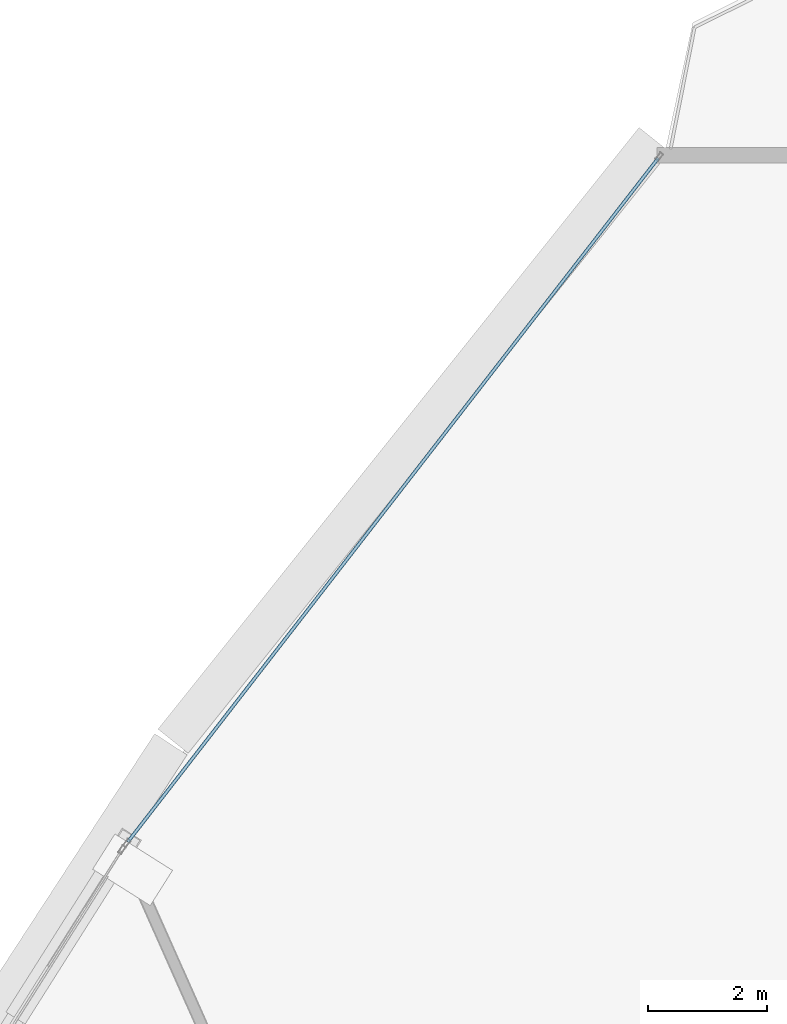
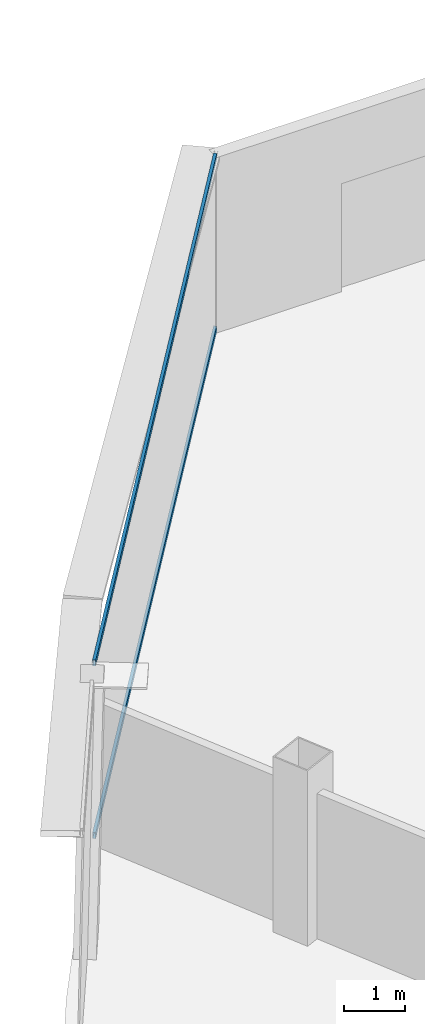
# One storey, part 22 of 34: 2 members, 1 element without a shape of its own.
"""IFC4 building model written with IfcOpenShell, lengths in metres."""

import ifcopenshell
import ifcopenshell.guid

model = None  # the IFC model being written
_history = None  # IfcOwnerHistory: only IFC2X3 demands one
_inside = {}  # id of a spatial element -> (the spatial element, [elements in it])
_under = {}  # id of a project, library or spatial element -> (it, [spatial elements below it])
_declared = {}  # id of a project -> (the project, [libraries it declares])
_typed = {}  # id of a type object -> (the type object, [elements of that type])
_made_of = {}  # id of a material, layer set ... -> (it, [elements and type objects made of it])


def new_model(schema):
    """Start an empty IFC model of exactly this schema.

    Asked for "IFC4X3", IfcOpenShell would pick the latest addendum, in which some entities
    have other attributes; the version numbers below select the first issue.
    IFC2X3 requires an IfcOwnerHistory on every rooted entity: one is made here for all.
    """
    global model, _history
    if schema == "IFC4X3":
        model = ifcopenshell.file(schema_version=(4, 3, 0, 0))
    else:
        model = ifcopenshell.file(schema=schema)
    _inside.clear()
    _under.clear()
    _declared.clear()
    _typed.clear()
    _made_of.clear()
    _history = None
    if model.schema == "IFC2X3":
        org = make("IfcOrganization", Name="unknown")
        user = make(
            "IfcPersonAndOrganization",
            ThePerson=make("IfcPerson", FamilyName="unknown"),
            TheOrganization=org,
        )
        app = make(
            "IfcApplication",
            ApplicationDeveloper=org,
            Version="unknown",
            ApplicationFullName="unknown",
            ApplicationIdentifier="unknown",
        )
        _history = make(
            "IfcOwnerHistory",
            OwningUser=user,
            OwningApplication=app,
            ChangeAction="ADDED",
            CreationDate=0,
        )
    return model


def make(cls, **values):
    """One entity of the class cls with the attributes given. An attribute that is None is left unset."""
    return model.create_entity(
        cls, **{name: value for name, value in values.items() if value is not None}
    )


def rooted(cls, **values):
    """An entity with a GlobalId (a new one), such as an element, a storey or a relation."""
    return make(cls, GlobalId=ifcopenshell.guid.new(), OwnerHistory=_history, **values)


def si_unit(unit_type, name, prefix=None):
    """IfcSIUnit, for example si_unit("LENGTHUNIT", "METRE", prefix="MILLI")."""
    return make("IfcSIUnit", UnitType=unit_type, Prefix=prefix, Name=name)


def assignment(units):
    """IfcUnitAssignment: the units of a project."""
    return None if units is None else make("IfcUnitAssignment", Units=units)


def point(xyz):
    """IfcCartesianPoint."""
    return None if xyz is None else make("IfcCartesianPoint", Coordinates=xyz)


def direction(xyz):
    """IfcDirection."""
    return None if xyz is None else make("IfcDirection", DirectionRatios=xyz)


def frame(location, z_axis=None, x_axis=None):
    """IfcAxis2Placement3D, a coordinate frame: its origin and axes. An axis left out is left unset."""
    return make(
        "IfcAxis2Placement3D",
        Location=point(location),
        Axis=direction(z_axis),
        RefDirection=direction(x_axis),
    )


def frame_2d(location, x_axis=None):
    """IfcAxis2Placement2D, a coordinate frame in the plane: its origin and x axis."""
    return make(
        "IfcAxis2Placement2D", Location=point(location), RefDirection=direction(x_axis)
    )


def origin():
    """The frame at (0, 0, 0) with its axes left unset."""
    return frame((0.0, 0.0, 0.0))


def origin_2d():
    """The frame at (0, 0) in the plane with its x axis left unset."""
    return frame_2d((0.0, 0.0))


def place(relative_to, where):
    """IfcLocalPlacement: puts the frame where relative to a parent placement (None: the world)."""
    return make(
        "IfcLocalPlacement", PlacementRelTo=relative_to, RelativePlacement=where
    )


def context(
    kind, dimensions, precision=None, world=None, true_north=None, identifier=None
):
    """IfcGeometricRepresentationContext, for example the 3D "Model" context."""
    return make(
        "IfcGeometricRepresentationContext",
        ContextIdentifier=identifier,
        ContextType=kind,
        CoordinateSpaceDimension=dimensions,
        Precision=precision,
        WorldCoordinateSystem=world,
        TrueNorth=true_north,
    )


def subcontext(parent, identifier, kind, view, scale=None):
    """IfcGeometricRepresentationSubContext, for example "Body" below "Model"."""
    return make(
        "IfcGeometricRepresentationSubContext",
        ContextIdentifier=identifier,
        ContextType=kind,
        ParentContext=parent,
        TargetScale=scale,
        TargetView=view,
    )


def project(units=None, contexts=None):
    """IfcProject with its units and contexts."""
    return rooted(
        "IfcProject",
        Name="project",
        RepresentationContexts=contexts,
        UnitsInContext=assignment(units),
    )


def spatial(cls, under=None, at=None, **own):
    """A site, building, storey or space (cls), placed at a placement, below another one or the project."""
    s = rooted(cls, ObjectPlacement=at, **own)
    if under is not None:
        _under.setdefault(under.id(), (under, []))[1].append(s)
    return s


def profile(cls, at=None, kind="AREA", **sizes):
    """A parametric profile (cls). Its sizes go by their IFC names, for example OverallWidth=200.0."""
    return make(cls, ProfileType=kind, Position=at, **sizes)


def hollow_rectangle(**sizes):
    """IfcRectangleHollowProfileDef."""
    return profile("IfcRectangleHollowProfileDef", **sizes)


def extrude(swept, where, along, depth):
    """IfcExtrudedAreaSolid: the profile swept, set in the frame where, extruded along a direction by depth."""
    return make(
        "IfcExtrudedAreaSolid",
        SweptArea=swept,
        Position=where,
        ExtrudedDirection=direction(along),
        Depth=depth,
    )


def shape(context_of_items, identifier, shape_type, items):
    """IfcShapeRepresentation: the items that make up one representation, for example the "Body"."""
    return make(
        "IfcShapeRepresentation",
        ContextOfItems=context_of_items,
        RepresentationIdentifier=identifier,
        RepresentationType=shape_type,
        Items=items,
    )


def source(mapping_origin, context_of_items, identifier, shape_type, items):
    """IfcRepresentationMap: a shape defined once, which mapped items show again and again."""
    return make(
        "IfcRepresentationMap",
        MappingOrigin=mapping_origin,
        MappedRepresentation=shape(context_of_items, identifier, shape_type, items),
    )


def transform(
    local_origin,
    x_axis=None,
    y_axis=None,
    z_axis=None,
    scale=None,
    scale2=None,
    scale3=None,
    uniform=True,
):
    """IfcCartesianTransformationOperator3D, or its non-uniform kind. x_axis, y_axis, z_axis: its Axis1, 2, 3."""
    if uniform:
        return make(
            "IfcCartesianTransformationOperator3D",
            Axis1=direction(x_axis),
            Axis2=direction(y_axis),
            LocalOrigin=point(local_origin),
            Scale=scale,
            Axis3=direction(z_axis),
        )
    return make(
        "IfcCartesianTransformationOperator3DnonUniform",
        Axis1=direction(x_axis),
        Axis2=direction(y_axis),
        LocalOrigin=point(local_origin),
        Scale=scale,
        Axis3=direction(z_axis),
        Scale2=scale2,
        Scale3=scale3,
    )


def mapped(mapping_source, mapping_target):
    """IfcMappedItem: shows the shape of a source again, moved by a transform."""
    return make(
        "IfcMappedItem", MappingSource=mapping_source, MappingTarget=mapping_target
    )


def material(Name=None, Category=None):
    """IfcMaterial."""
    return make("IfcMaterial", Name=Name, Category=Category)


def layer(
    of_material, thickness, ventilated=None, Name=None, Category=None, Priority=None
):
    """IfcMaterialLayer: one layer of a wall or slab, of a material (None: an air gap)."""
    return make(
        "IfcMaterialLayer",
        Material=of_material,
        LayerThickness=thickness,
        IsVentilated=ventilated,
        Name=Name,
        Category=Category,
        Priority=Priority,
    )


def layer_set(layers, Name=None):
    """IfcMaterialLayerSet."""
    return make("IfcMaterialLayerSet", MaterialLayers=layers, LayerSetName=Name)


def material_profile(
    of_material, cross_section, Name=None, Category=None, Priority=None
):
    """IfcMaterialProfile: a cross section and its material."""
    return make(
        "IfcMaterialProfile",
        Name=Name,
        Material=of_material,
        Profile=cross_section,
        Priority=Priority,
        Category=Category,
    )


def profile_set(profiles, Name=None, composite=None):
    """IfcMaterialProfileSet."""
    return make(
        "IfcMaterialProfileSet",
        Name=Name,
        MaterialProfiles=profiles,
        CompositeProfile=composite,
    )


def made_of(thing, what):
    """Note that an element or type object is made of a material, layer set ...; save() writes the relation."""
    if what is not None:
        _made_of.setdefault(what.id(), (what, []))[1].append(thing)
    return thing


def type_object(cls, material=None, **own):
    """A type object (cls), such as IfcWallType, which elements share."""
    return made_of(rooted(cls, **own), material)


def element(
    cls,
    number,
    at=None,
    inside=None,
    cuts=None,
    type_object=None,
    material=None,
    context=None,
    identifier="Body",
    shape_type=None,
    held_by="IfcProductDefinitionShape",
    body=None,
    shapes=None,
    **own,
):
    """One element of the class cls, such as IfcWall. Its Tag is "e" and its number.

    at: its placement. inside: the storey or other place that contains it. cuts: it is an
    opening in that element (IfcRelVoidsElement). A single representation is given by context,
    identifier, shape_type and body (its items); several are given by shapes. held_by: the class
    of the entity that holds the representations. save() writes the other relations.
    """
    e = rooted(cls, Tag="e%d" % number, ObjectPlacement=at, **own)
    if body is not None:
        shapes = [shape(context, identifier, shape_type, body)]
    if shapes is not None:
        e.Representation = make(held_by, Representations=shapes)
    if inside is not None:
        _inside.setdefault(inside.id(), (inside, []))[1].append(e)
    if cuts is not None:
        rooted(
            "IfcRelVoidsElement", RelatingBuildingElement=cuts, RelatedOpeningElement=e
        )
    if type_object is not None:
        _typed.setdefault(type_object.id(), (type_object, []))[1].append(e)
    return made_of(e, material)


def aggregate(whole, parts):
    """IfcRelAggregates: a whole, such as a stair, and the parts it consists of."""
    return rooted("IfcRelAggregates", RelatingObject=whole, RelatedObjects=parts)


def save(model, path):
    """Write the relations noted so far, then the file.

    IfcRelAggregates (storeys below a building ...), IfcRelContainedInSpatialStructure (elements
    in a storey), IfcRelDefinesByType, IfcRelAssociatesMaterial and IfcRelDeclares: one each for
    every whole, place, type object, material and project.
    """
    for whole, parts in _under.values():
        aggregate(whole, parts)
    for where, things in _inside.values():
        rooted(
            "IfcRelContainedInSpatialStructure",
            RelatedElements=things,
            RelatingStructure=where,
        )
    for kind, things in _typed.values():
        rooted("IfcRelDefinesByType", RelatedObjects=things, RelatingType=kind)
    for what, things in _made_of.values():
        rooted("IfcRelAssociatesMaterial", RelatedObjects=things, RelatingMaterial=what)
    for by, libraries in _declared.values():
        rooted("IfcRelDeclares", RelatingContext=by, RelatedDefinitions=libraries)
    model.write(path)


model = new_model("IFC4")

# Units and contexts
model_context = context("Model", 3, precision=1e-05, world=origin(), true_north=direction((0.0, 1.0)))
body_context = subcontext(model_context, "Body", "Model", "MODEL_VIEW")
ifc_project = project(units=[si_unit("LENGTHUNIT", "METRE"), si_unit("AREAUNIT", "SQUARE_METRE"), si_unit("VOLUMEUNIT", "CUBIC_METRE"), si_unit("PLANEANGLEUNIT", "RADIAN"), si_unit("MASSUNIT", "GRAM", prefix="KILO"), si_unit("THERMODYNAMICTEMPERATUREUNIT", "KELVIN"), si_unit("POWERUNIT", "WATT")], contexts=[model_context])

# Site, building, storey
site_placement = place(None, origin())
site = spatial("IfcSite", under=ifc_project, at=site_placement, CompositionType="ELEMENT")
building_placement = place(site_placement, origin())
building = spatial("IfcBuilding", under=site, at=building_placement, Name="Yunzhuo Pagoda Commons", CompositionType="ELEMENT")
storey_placement = place(building_placement, frame((0.0, 0.0, 333.010009765625)))
storey = spatial("IfcBuildingStorey", under=building, at=storey_placement, Name="L83", CompositionType="ELEMENT", Elevation=333.010009765625)

# Curtain wall, members
ifc_material = material(Name="Anodized aluminium 6063-T6", Category="aluminium")
ifc_layer = layer(ifc_material, 0.139892578125)
ifc_layer_set = layer_set([ifc_layer], Name="Anodized aluminium 6063-T6")
curtain_wall_type = type_object("IfcCurtainWallType", Name="CW-HI High-Zone Ribbon Curtain Wall", PredefinedType="NOTDEFINED", material=ifc_layer_set)
curtain_wall_placement = place(storey_placement, origin())
curtain_wall = element("IfcCurtainWall", 1, at=curtain_wall_placement, inside=storey, type_object=curtain_wall_type, Name="L83 curtain wall CW-L83-F3B1", PredefinedType="NOTDEFINED")
ifc_material_profile = material_profile(ifc_material, hollow_rectangle(XDim=0.054931640625, YDim=0.1201171875, WallThickness=0.00341796875, at=origin_2d()), Name="Anodized aluminium 6063-T6")
ifc_profile_set = profile_set([ifc_material_profile], Name="Anodized aluminium 6063-T6")
member_type = type_object("IfcMemberType", Name="CW-HI-T Transom RHS 120x55x3.5", PredefinedType="USERDEFINED", material=ifc_profile_set)
shared_shape = source(origin(), body_context, "Body", "SweptSolid", [
    extrude(hollow_rectangle(XDim=0.054931640625, YDim=0.1201171875, WallThickness=0.00341796875, at=origin_2d()), origin(), (0.0, 0.0, 1.0), 14.537353515625),
])
member_1_placement = place(storey_placement, frame((44.774658203125, 72.73583984375, 0.027587890625), z_axis=(-0.612918112301, -0.790146434285, 0.0), x_axis=(0.790146434285, -0.612918112301, 0.0)))
member_1 = element("IfcMember", 2, at=member_1_placement, type_object=member_type, Name="CW transom 1.1", ObjectType="TRANSOM", PredefinedType="USERDEFINED", context=body_context, shape_type="MappedRepresentation", body=[
    mapped(shared_shape, transform((0.0, 0.0, 0.0), scale=1.0)),
])
member_2_placement = place(storey_placement, frame((44.774658203125, 72.73583984375, 3.46240234375), z_axis=(-0.612918112301, -0.790146434285, 0.0), x_axis=(0.790146434285, -0.612918112301, 0.0)))
member_2 = element("IfcMember", 3, at=member_2_placement, type_object=member_type, Name="CW transom 1.2", ObjectType="TRANSOM", PredefinedType="USERDEFINED", context=body_context, shape_type="MappedRepresentation", body=[
    mapped(shared_shape, transform((0.0, 0.0, 0.0), scale=1.0)),
])
aggregate(curtain_wall, [member_1, member_2])

save(model, "model.ifc")
